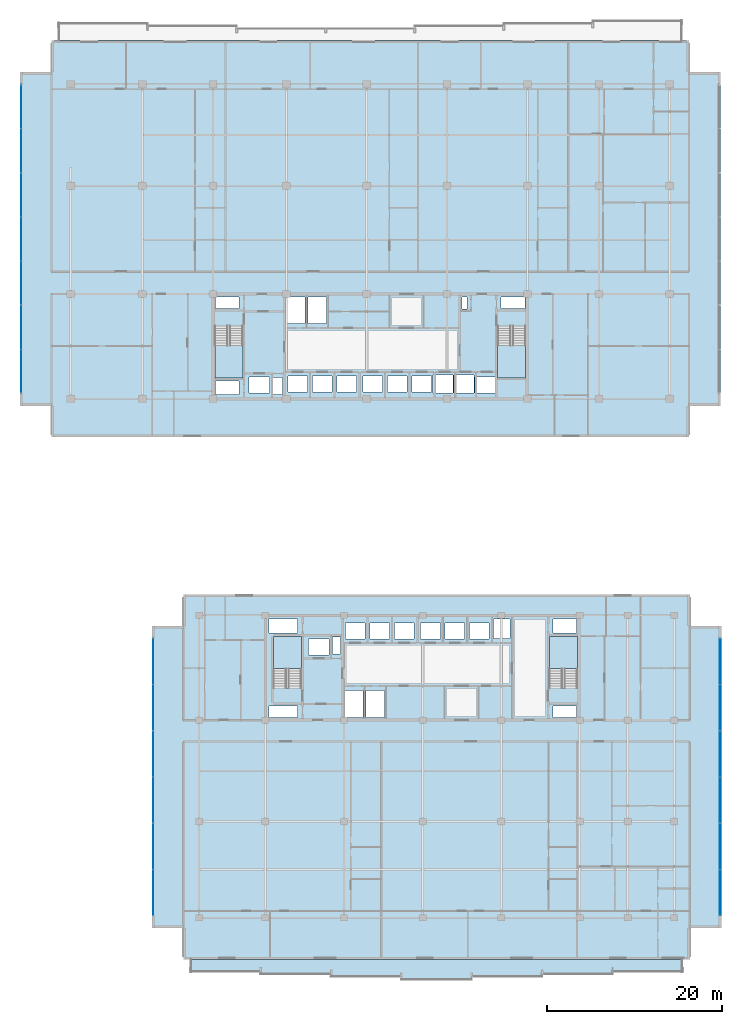
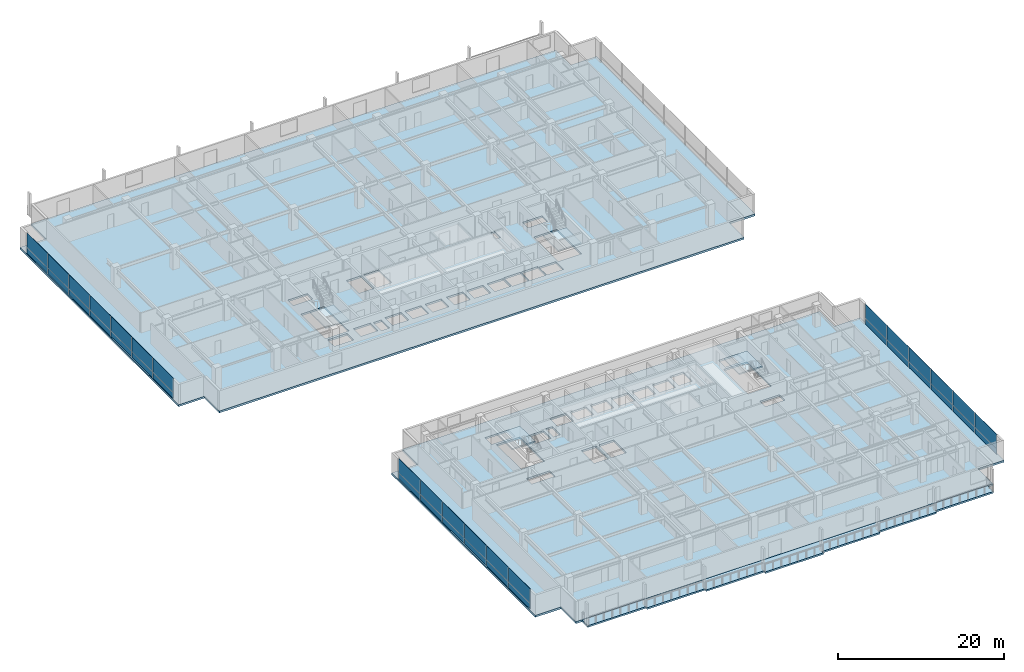
# One storey, part 19 of 38: 38 plates, 7 slabs, 7 elements without a shape of their own.
"""IFC4 building model written with IfcOpenShell, lengths in metres."""

import ifcopenshell
import ifcopenshell.guid

model = None  # the IFC model being written
_history = None  # IfcOwnerHistory: only IFC2X3 demands one
_inside = {}  # id of a spatial element -> (the spatial element, [elements in it])
_under = {}  # id of a project, library or spatial element -> (it, [spatial elements below it])
_declared = {}  # id of a project -> (the project, [libraries it declares])
_typed = {}  # id of a type object -> (the type object, [elements of that type])
_made_of = {}  # id of a material, layer set ... -> (it, [elements and type objects made of it])


def new_model(schema):
    """Start an empty IFC model of exactly this schema.

    Asked for "IFC4X3", IfcOpenShell would pick the latest addendum, in which some entities
    have other attributes; the version numbers below select the first issue.
    IFC2X3 requires an IfcOwnerHistory on every rooted entity: one is made here for all.
    """
    global model, _history
    if schema == "IFC4X3":
        model = ifcopenshell.file(schema_version=(4, 3, 0, 0))
    else:
        model = ifcopenshell.file(schema=schema)
    _inside.clear()
    _under.clear()
    _declared.clear()
    _typed.clear()
    _made_of.clear()
    _history = None
    if model.schema == "IFC2X3":
        org = make("IfcOrganization", Name="unknown")
        user = make(
            "IfcPersonAndOrganization",
            ThePerson=make("IfcPerson", FamilyName="unknown"),
            TheOrganization=org,
        )
        app = make(
            "IfcApplication",
            ApplicationDeveloper=org,
            Version="unknown",
            ApplicationFullName="unknown",
            ApplicationIdentifier="unknown",
        )
        _history = make(
            "IfcOwnerHistory",
            OwningUser=user,
            OwningApplication=app,
            ChangeAction="ADDED",
            CreationDate=0,
        )
    return model


def make(cls, **values):
    """One entity of the class cls with the attributes given. An attribute that is None is left unset."""
    return model.create_entity(
        cls, **{name: value for name, value in values.items() if value is not None}
    )


def rooted(cls, **values):
    """An entity with a GlobalId (a new one), such as an element, a storey or a relation."""
    return make(cls, GlobalId=ifcopenshell.guid.new(), OwnerHistory=_history, **values)


def si_unit(unit_type, name, prefix=None):
    """IfcSIUnit, for example si_unit("LENGTHUNIT", "METRE", prefix="MILLI")."""
    return make("IfcSIUnit", UnitType=unit_type, Prefix=prefix, Name=name)


def assignment(units):
    """IfcUnitAssignment: the units of a project."""
    return None if units is None else make("IfcUnitAssignment", Units=units)


def point(xyz):
    """IfcCartesianPoint."""
    return None if xyz is None else make("IfcCartesianPoint", Coordinates=xyz)


def direction(xyz):
    """IfcDirection."""
    return None if xyz is None else make("IfcDirection", DirectionRatios=xyz)


def frame(location, z_axis=None, x_axis=None):
    """IfcAxis2Placement3D, a coordinate frame: its origin and axes. An axis left out is left unset."""
    return make(
        "IfcAxis2Placement3D",
        Location=point(location),
        Axis=direction(z_axis),
        RefDirection=direction(x_axis),
    )


def frame_2d(location, x_axis=None):
    """IfcAxis2Placement2D, a coordinate frame in the plane: its origin and x axis."""
    return make(
        "IfcAxis2Placement2D", Location=point(location), RefDirection=direction(x_axis)
    )


def origin():
    """The frame at (0, 0, 0) with its axes left unset."""
    return frame((0.0, 0.0, 0.0))


def origin_2d():
    """The frame at (0, 0) in the plane with its x axis left unset."""
    return frame_2d((0.0, 0.0))


def place(relative_to, where):
    """IfcLocalPlacement: puts the frame where relative to a parent placement (None: the world)."""
    return make(
        "IfcLocalPlacement", PlacementRelTo=relative_to, RelativePlacement=where
    )


def context(
    kind, dimensions, precision=None, world=None, true_north=None, identifier=None
):
    """IfcGeometricRepresentationContext, for example the 3D "Model" context."""
    return make(
        "IfcGeometricRepresentationContext",
        ContextIdentifier=identifier,
        ContextType=kind,
        CoordinateSpaceDimension=dimensions,
        Precision=precision,
        WorldCoordinateSystem=world,
        TrueNorth=true_north,
    )


def subcontext(parent, identifier, kind, view, scale=None):
    """IfcGeometricRepresentationSubContext, for example "Body" below "Model"."""
    return make(
        "IfcGeometricRepresentationSubContext",
        ContextIdentifier=identifier,
        ContextType=kind,
        ParentContext=parent,
        TargetScale=scale,
        TargetView=view,
    )


def project(units=None, contexts=None):
    """IfcProject with its units and contexts."""
    return rooted(
        "IfcProject",
        Name="project",
        RepresentationContexts=contexts,
        UnitsInContext=assignment(units),
    )


def spatial(cls, under=None, at=None, **own):
    """A site, building, storey or space (cls), placed at a placement, below another one or the project."""
    s = rooted(cls, ObjectPlacement=at, **own)
    if under is not None:
        _under.setdefault(under.id(), (under, []))[1].append(s)
    return s


def polyline(points):
    """IfcPolyline through the points."""
    return make("IfcPolyline", Points=[point(p) for p in points])


def profile(cls, at=None, kind="AREA", **sizes):
    """A parametric profile (cls). Its sizes go by their IFC names, for example OverallWidth=200.0."""
    return make(cls, ProfileType=kind, Position=at, **sizes)


def rectangle(**sizes):
    """IfcRectangleProfileDef."""
    return profile("IfcRectangleProfileDef", **sizes)


def outline(outer, holes=None, kind="AREA"):
    """IfcArbitraryClosedProfileDef: a profile drawn as a closed curve; with holes, ...WithVoids."""
    if holes is None:
        return make("IfcArbitraryClosedProfileDef", ProfileType=kind, OuterCurve=outer)
    return make(
        "IfcArbitraryProfileDefWithVoids",
        ProfileType=kind,
        OuterCurve=outer,
        InnerCurves=holes,
    )


def extrude(swept, where, along, depth):
    """IfcExtrudedAreaSolid: the profile swept, set in the frame where, extruded along a direction by depth."""
    return make(
        "IfcExtrudedAreaSolid",
        SweptArea=swept,
        Position=where,
        ExtrudedDirection=direction(along),
        Depth=depth,
    )


def shape(context_of_items, identifier, shape_type, items):
    """IfcShapeRepresentation: the items that make up one representation, for example the "Body"."""
    return make(
        "IfcShapeRepresentation",
        ContextOfItems=context_of_items,
        RepresentationIdentifier=identifier,
        RepresentationType=shape_type,
        Items=items,
    )


def material(Name=None, Category=None):
    """IfcMaterial."""
    return make("IfcMaterial", Name=Name, Category=Category)


def layer(
    of_material, thickness, ventilated=None, Name=None, Category=None, Priority=None
):
    """IfcMaterialLayer: one layer of a wall or slab, of a material (None: an air gap)."""
    return make(
        "IfcMaterialLayer",
        Material=of_material,
        LayerThickness=thickness,
        IsVentilated=ventilated,
        Name=Name,
        Category=Category,
        Priority=Priority,
    )


def layer_set(layers, Name=None):
    """IfcMaterialLayerSet."""
    return make("IfcMaterialLayerSet", MaterialLayers=layers, LayerSetName=Name)


def made_of(thing, what):
    """Note that an element or type object is made of a material, layer set ...; save() writes the relation."""
    if what is not None:
        _made_of.setdefault(what.id(), (what, []))[1].append(thing)
    return thing


def type_object(cls, material=None, **own):
    """A type object (cls), such as IfcWallType, which elements share."""
    return made_of(rooted(cls, **own), material)


def element(
    cls,
    number,
    at=None,
    inside=None,
    cuts=None,
    type_object=None,
    material=None,
    context=None,
    identifier="Body",
    shape_type=None,
    held_by="IfcProductDefinitionShape",
    body=None,
    shapes=None,
    **own,
):
    """One element of the class cls, such as IfcWall. Its Tag is "e" and its number.

    at: its placement. inside: the storey or other place that contains it. cuts: it is an
    opening in that element (IfcRelVoidsElement). A single representation is given by context,
    identifier, shape_type and body (its items); several are given by shapes. held_by: the class
    of the entity that holds the representations. save() writes the other relations.
    """
    e = rooted(cls, Tag="e%d" % number, ObjectPlacement=at, **own)
    if body is not None:
        shapes = [shape(context, identifier, shape_type, body)]
    if shapes is not None:
        e.Representation = make(held_by, Representations=shapes)
    if inside is not None:
        _inside.setdefault(inside.id(), (inside, []))[1].append(e)
    if cuts is not None:
        rooted(
            "IfcRelVoidsElement", RelatingBuildingElement=cuts, RelatedOpeningElement=e
        )
    if type_object is not None:
        _typed.setdefault(type_object.id(), (type_object, []))[1].append(e)
    return made_of(e, material)


def aggregate(whole, parts):
    """IfcRelAggregates: a whole, such as a stair, and the parts it consists of."""
    return rooted("IfcRelAggregates", RelatingObject=whole, RelatedObjects=parts)


def save(model, path):
    """Write the relations noted so far, then the file.

    IfcRelAggregates (storeys below a building ...), IfcRelContainedInSpatialStructure (elements
    in a storey), IfcRelDefinesByType, IfcRelAssociatesMaterial and IfcRelDeclares: one each for
    every whole, place, type object, material and project.
    """
    for whole, parts in _under.values():
        aggregate(whole, parts)
    for where, things in _inside.values():
        rooted(
            "IfcRelContainedInSpatialStructure",
            RelatedElements=things,
            RelatingStructure=where,
        )
    for kind, things in _typed.values():
        rooted("IfcRelDefinesByType", RelatedObjects=things, RelatingType=kind)
    for what, things in _made_of.values():
        rooted("IfcRelAssociatesMaterial", RelatedObjects=things, RelatingMaterial=what)
    for by, libraries in _declared.values():
        rooted("IfcRelDeclares", RelatingContext=by, RelatedDefinitions=libraries)
    model.write(path)


model = new_model("IFC4")

# Units and contexts
model_context = context("Model", 3, precision=1e-05, world=origin(), true_north=direction((0.0, 1.0)))
body_context = subcontext(model_context, "Body", "Model", "MODEL_VIEW")
ifc_project = project(units=[si_unit("LENGTHUNIT", "METRE"), si_unit("AREAUNIT", "SQUARE_METRE"), si_unit("VOLUMEUNIT", "CUBIC_METRE"), si_unit("PLANEANGLEUNIT", "RADIAN"), si_unit("MASSUNIT", "GRAM", prefix="KILO")], contexts=[model_context])

# Site, building, storey
site_placement = place(None, origin())
site = spatial("IfcSite", under=ifc_project, at=site_placement, CompositionType="ELEMENT")
building_placement = place(site_placement, origin())
building = spatial("IfcBuilding", under=site, at=building_placement, Name="Korimba Cascade Residences", CompositionType="ELEMENT")
storey_placement = place(building_placement, frame((0.0, 0.0, 93.800048828125)))
storey = spatial("IfcBuildingStorey", under=building, at=storey_placement, Name="L26", CompositionType="ELEMENT", Elevation=93.800048828125)

# Curtain wall, plates
ifc_material_1 = material(Name="Anodised Aluminium Curtain Wall Framing", Category="aluminium")
ifc_layer_1 = layer(ifc_material_1, 0.179931640625)
ifc_layer_set_1 = layer_set([ifc_layer_1], Name="Anodised Aluminium Curtain Wall Framing")
curtain_wall_type = type_object("IfcCurtainWallType", Name="CW-SKY-SYS2", PredefinedType="NOTDEFINED", material=ifc_layer_set_1)
curtain_wall_1_placement = place(storey_placement, origin())
curtain_wall_1 = element("IfcCurtainWall", 1, at=curtain_wall_1_placement, inside=storey, type_object=curtain_wall_type, Name="L26 Curtain Wall CW-L26-T1-E9", PredefinedType="NOTDEFINED")
ifc_material_2 = material(Name="Insulated Stone-Tone Spandrel Panel", Category="masonry")
ifc_layer_2 = layer(ifc_material_2, 0.0400390625)
ifc_layer_set_2 = layer_set([ifc_layer_2], Name="Insulated Stone-Tone Spandrel Panel")
plate_type_1 = type_object("IfcPlateType", Name="CWP-SPN-40", PredefinedType="USERDEFINED", material=ifc_layer_set_2)
plate_1_placement = place(storey_placement, frame((54.14990234375, 88.6513671875, 0.0), z_axis=(0.0, 0.0, 1.0), x_axis=(0.0, -1.0, 0.0)))
plate_1 = element("IfcPlate", 2, at=plate_1_placement, type_object=plate_type_1, Name="CW-L26-T1-E9 Spandrel Panel 1", ObjectType="SPANDREL", PredefinedType="USERDEFINED", context=body_context, shape_type="SweptSolid", body=[
    extrude(rectangle(XDim=4.967041015625, YDim=0.0400390625, at=origin_2d()), origin(), (0.0, 0.0, 1.0), 0.83154296875),
])
plate_2_placement = place(storey_placement, frame((54.14990234375, 83.6142578125, 0.0), z_axis=(0.0, 0.0, 1.0), x_axis=(0.0, -1.0, 0.0)))
plate_2 = element("IfcPlate", 3, at=plate_2_placement, type_object=plate_type_1, Name="CW-L26-T1-E9 Spandrel Panel 2", ObjectType="SPANDREL", PredefinedType="USERDEFINED", context=body_context, shape_type="SweptSolid", body=[
    extrude(rectangle(XDim=5.007080078125, YDim=0.0400390625, at=origin_2d()), origin(), (0.0, 0.0, 1.0), 0.83154296875),
])
plate_3_placement = place(storey_placement, frame((54.14990234375, 78.55712890625, 0.0), z_axis=(0.0, 0.0, 1.0), x_axis=(0.0, -1.0, 0.0)))
plate_3 = element("IfcPlate", 4, at=plate_3_placement, type_object=plate_type_1, Name="CW-L26-T1-E9 Spandrel Panel 3", ObjectType="SPANDREL", PredefinedType="USERDEFINED", context=body_context, shape_type="SweptSolid", body=[
    extrude(rectangle(XDim=5.007080078125, YDim=0.0400390625, at=origin_2d()), origin(), (0.0, 0.0, 1.0), 0.83154296875),
])
plate_4_placement = place(storey_placement, frame((54.14990234375, 73.5, 0.0), z_axis=(0.0, 0.0, 1.0), x_axis=(0.0, -1.0, 0.0)))
plate_4 = element("IfcPlate", 5, at=plate_4_placement, type_object=plate_type_1, Name="CW-L26-T1-E9 Spandrel Panel 4", ObjectType="SPANDREL", PredefinedType="USERDEFINED", context=body_context, shape_type="SweptSolid", body=[
    extrude(rectangle(XDim=5.007080078125, YDim=0.0400390625, at=origin_2d()), origin(), (0.0, 0.0, 1.0), 0.83154296875),
])
plate_5_placement = place(storey_placement, frame((54.14990234375, 68.44287109375, 0.0), z_axis=(0.0, 0.0, 1.0), x_axis=(0.0, -1.0, 0.0)))
plate_5 = element("IfcPlate", 6, at=plate_5_placement, type_object=plate_type_1, Name="CW-L26-T1-E9 Spandrel Panel 5", ObjectType="SPANDREL", PredefinedType="USERDEFINED", context=body_context, shape_type="SweptSolid", body=[
    extrude(rectangle(XDim=5.007080078125, YDim=0.0400390625, at=origin_2d()), origin(), (0.0, 0.0, 1.0), 0.83154296875),
])
plate_6_placement = place(storey_placement, frame((54.14990234375, 63.3857421875, 0.0), z_axis=(0.0, 0.0, 1.0), x_axis=(0.0, -1.0, 0.0)))
plate_6 = element("IfcPlate", 7, at=plate_6_placement, type_object=plate_type_1, Name="CW-L26-T1-E9 Spandrel Panel 6", ObjectType="SPANDREL", PredefinedType="USERDEFINED", context=body_context, shape_type="SweptSolid", body=[
    extrude(rectangle(XDim=5.007080078125, YDim=0.0400390625, at=origin_2d()), origin(), (0.0, 0.0, 1.0), 0.83154296875),
])
plate_7_placement = place(storey_placement, frame((54.14990234375, 58.3486328125, 0.0), z_axis=(0.0, 0.0, 1.0), x_axis=(0.0, -1.0, 0.0)))
plate_7 = element("IfcPlate", 8, at=plate_7_placement, type_object=plate_type_1, Name="CW-L26-T1-E9 Spandrel Panel 7", ObjectType="SPANDREL", PredefinedType="USERDEFINED", context=body_context, shape_type="SweptSolid", body=[
    extrude(rectangle(XDim=4.967041015625, YDim=0.0400390625, at=origin_2d()), origin(), (0.0, 0.0, 1.0), 0.83154296875),
])

curtain_wall_2_placement = place(storey_placement, origin())
curtain_wall_2 = element("IfcCurtainWall", 9, at=curtain_wall_2_placement, inside=storey, type_object=curtain_wall_type, Name="L26 Curtain Wall CW-L26-T2-E3", PredefinedType="NOTDEFINED")
plate_8_placement = place(storey_placement, frame((134.14990234375, -1.330078125, 0.0), z_axis=(0.0, 0.0, 1.0), x_axis=(0.0, 1.0, 0.0)))
plate_8 = element("IfcPlate", 10, at=plate_8_placement, type_object=plate_type_1, Name="CW-L26-T2-E3 Spandrel Panel 1", ObjectType="SPANDREL", PredefinedType="USERDEFINED", context=body_context, shape_type="SweptSolid", body=[
    extrude(rectangle(XDim=5.2099609375, YDim=0.0400390625, at=origin_2d()), origin(), (0.0, 0.0, 1.0), 0.83154296875),
])
plate_9_placement = place(storey_placement, frame((134.14990234375, 3.949951171875, 0.0), z_axis=(0.0, 0.0, 1.0), x_axis=(0.0, 1.0, 0.0)))
plate_9 = element("IfcPlate", 11, at=plate_9_placement, type_object=plate_type_1, Name="CW-L26-T2-E3 Spandrel Panel 2", ObjectType="SPANDREL", PredefinedType="USERDEFINED", context=body_context, shape_type="SweptSolid", body=[
    extrude(rectangle(XDim=5.25, YDim=0.0400390625, at=origin_2d()), origin(), (0.0, 0.0, 1.0), 0.83154296875),
])
plate_10_placement = place(storey_placement, frame((134.14990234375, 9.25, 0.0), z_axis=(0.0, 0.0, 1.0), x_axis=(0.0, 1.0, 0.0)))
plate_10 = element("IfcPlate", 12, at=plate_10_placement, type_object=plate_type_1, Name="CW-L26-T2-E3 Spandrel Panel 3", ObjectType="SPANDREL", PredefinedType="USERDEFINED", context=body_context, shape_type="SweptSolid", body=[
    extrude(rectangle(XDim=5.25, YDim=0.0400390625, at=origin_2d()), origin(), (0.0, 0.0, 1.0), 0.83154296875),
])
plate_11_placement = place(storey_placement, frame((134.14990234375, 14.550048828125, 0.0), z_axis=(0.0, 0.0, 1.0), x_axis=(0.0, 1.0, 0.0)))
plate_11 = element("IfcPlate", 13, at=plate_11_placement, type_object=plate_type_1, Name="CW-L26-T2-E3 Spandrel Panel 4", ObjectType="SPANDREL", PredefinedType="USERDEFINED", context=body_context, shape_type="SweptSolid", body=[
    extrude(rectangle(XDim=5.25, YDim=0.0400390625, at=origin_2d()), origin(), (0.0, 0.0, 1.0), 0.83154296875),
])
plate_12_placement = place(storey_placement, frame((134.14990234375, 19.85009765625, 0.0), z_axis=(0.0, 0.0, 1.0), x_axis=(0.0, 1.0, 0.0)))
plate_12 = element("IfcPlate", 14, at=plate_12_placement, type_object=plate_type_1, Name="CW-L26-T2-E3 Spandrel Panel 5", ObjectType="SPANDREL", PredefinedType="USERDEFINED", context=body_context, shape_type="SweptSolid", body=[
    extrude(rectangle(XDim=5.25, YDim=0.0400390625, at=origin_2d()), origin(), (0.0, 0.0, 1.0), 0.83154296875),
])
plate_13_placement = place(storey_placement, frame((134.14990234375, 25.1298828125, 0.0), z_axis=(0.0, 0.0, 1.0), x_axis=(0.0, 1.0, 0.0)))
plate_13 = element("IfcPlate", 15, at=plate_13_placement, type_object=plate_type_1, Name="CW-L26-T2-E3 Spandrel Panel 6", ObjectType="SPANDREL", PredefinedType="USERDEFINED", context=body_context, shape_type="SweptSolid", body=[
    extrude(rectangle(XDim=5.2099609375, YDim=0.0400390625, at=origin_2d()), origin(), (0.0, 0.0, 1.0), 0.83154296875),
])

curtain_wall_3_placement = place(storey_placement, origin())
curtain_wall_3 = element("IfcCurtainWall", 16, at=curtain_wall_3_placement, inside=storey, type_object=curtain_wall_type, Name="L26 Curtain Wall CW-L26-T2-E9", PredefinedType="NOTDEFINED")
plate_14_placement = place(storey_placement, frame((69.25, 25.1298828125, 0.0), z_axis=(0.0, 0.0, 1.0), x_axis=(0.0, -1.0, 0.0)))
plate_14 = element("IfcPlate", 17, at=plate_14_placement, type_object=plate_type_1, Name="CW-L26-T2-E9 Spandrel Panel 1", ObjectType="SPANDREL", PredefinedType="USERDEFINED", context=body_context, shape_type="SweptSolid", body=[
    extrude(rectangle(XDim=5.2099609375, YDim=0.0400390625, at=origin_2d()), origin(), (0.0, 0.0, 1.0), 0.83154296875),
])
plate_15_placement = place(storey_placement, frame((69.25, 19.85009765625, 0.0), z_axis=(0.0, 0.0, 1.0), x_axis=(0.0, -1.0, 0.0)))
plate_15 = element("IfcPlate", 18, at=plate_15_placement, type_object=plate_type_1, Name="CW-L26-T2-E9 Spandrel Panel 2", ObjectType="SPANDREL", PredefinedType="USERDEFINED", context=body_context, shape_type="SweptSolid", body=[
    extrude(rectangle(XDim=5.25, YDim=0.0400390625, at=origin_2d()), origin(), (0.0, 0.0, 1.0), 0.83154296875),
])
plate_16_placement = place(storey_placement, frame((69.25, 14.550048828125, 0.0), z_axis=(0.0, 0.0, 1.0), x_axis=(0.0, -1.0, 0.0)))
plate_16 = element("IfcPlate", 19, at=plate_16_placement, type_object=plate_type_1, Name="CW-L26-T2-E9 Spandrel Panel 3", ObjectType="SPANDREL", PredefinedType="USERDEFINED", context=body_context, shape_type="SweptSolid", body=[
    extrude(rectangle(XDim=5.25, YDim=0.0400390625, at=origin_2d()), origin(), (0.0, 0.0, 1.0), 0.83154296875),
])
plate_17_placement = place(storey_placement, frame((69.25, 9.25, 0.0), z_axis=(0.0, 0.0, 1.0), x_axis=(0.0, -1.0, 0.0)))
plate_17 = element("IfcPlate", 20, at=plate_17_placement, type_object=plate_type_1, Name="CW-L26-T2-E9 Spandrel Panel 4", ObjectType="SPANDREL", PredefinedType="USERDEFINED", context=body_context, shape_type="SweptSolid", body=[
    extrude(rectangle(XDim=5.25, YDim=0.0400390625, at=origin_2d()), origin(), (0.0, 0.0, 1.0), 0.83154296875),
])
plate_18_placement = place(storey_placement, frame((69.25, 3.949951171875, 0.0), z_axis=(0.0, 0.0, 1.0), x_axis=(0.0, -1.0, 0.0)))
plate_18 = element("IfcPlate", 21, at=plate_18_placement, type_object=plate_type_1, Name="CW-L26-T2-E9 Spandrel Panel 5", ObjectType="SPANDREL", PredefinedType="USERDEFINED", context=body_context, shape_type="SweptSolid", body=[
    extrude(rectangle(XDim=5.25, YDim=0.0400390625, at=origin_2d()), origin(), (0.0, 0.0, 1.0), 0.83154296875),
])
plate_19_placement = place(storey_placement, frame((69.25, -1.330078125, 0.0), z_axis=(0.0, 0.0, 1.0), x_axis=(0.0, -1.0, 0.0)))
plate_19 = element("IfcPlate", 22, at=plate_19_placement, type_object=plate_type_1, Name="CW-L26-T2-E9 Spandrel Panel 6", ObjectType="SPANDREL", PredefinedType="USERDEFINED", context=body_context, shape_type="SweptSolid", body=[
    extrude(rectangle(XDim=5.2099609375, YDim=0.0400390625, at=origin_2d()), origin(), (0.0, 0.0, 1.0), 0.83154296875),
])

# Plate
ifc_material_3 = material(Name="Low-E Double Glazing Unit", Category="glass")
ifc_layer_3 = layer(ifc_material_3, 0.028076171875)
ifc_layer_set_3 = layer_set([ifc_layer_3], Name="Low-E Double Glazing Unit")
plate_type_2 = type_object("IfcPlateType", Name="CWP-VIS-28", PredefinedType="CURTAIN_PANEL", material=ifc_layer_set_3)
plate_20_placement = place(storey_placement, frame((54.14990234375, 88.6513671875, 0.83154296875), z_axis=(0.0, 0.0, 1.0), x_axis=(0.0, -1.0, 0.0)))
plate_20 = element("IfcPlate", 23, at=plate_20_placement, type_object=plate_type_2, Name="CW-L26-T1-E9 Vision Glass Panel 1", PredefinedType="CURTAIN_PANEL", context=body_context, shape_type="SweptSolid", body=[
    extrude(rectangle(XDim=4.967041015625, YDim=0.028076171875, at=origin_2d()), origin(), (0.0, 0.0, 1.0), 2.138427734375),
])

plate_21_placement = place(storey_placement, frame((54.14990234375, 83.6142578125, 0.83154296875), z_axis=(0.0, 0.0, 1.0), x_axis=(0.0, -1.0, 0.0)))
plate_21 = element("IfcPlate", 24, at=plate_21_placement, type_object=plate_type_2, Name="CW-L26-T1-E9 Vision Glass Panel 2", PredefinedType="CURTAIN_PANEL", context=body_context, shape_type="SweptSolid", body=[
    extrude(rectangle(XDim=5.007080078125, YDim=0.028076171875, at=origin_2d()), origin(), (0.0, 0.0, 1.0), 2.138427734375),
])

plate_22_placement = place(storey_placement, frame((54.14990234375, 78.55712890625, 0.83154296875), z_axis=(0.0, 0.0, 1.0), x_axis=(0.0, -1.0, 0.0)))
plate_22 = element("IfcPlate", 25, at=plate_22_placement, type_object=plate_type_2, Name="CW-L26-T1-E9 Vision Glass Panel 3", PredefinedType="CURTAIN_PANEL", context=body_context, shape_type="SweptSolid", body=[
    extrude(rectangle(XDim=5.007080078125, YDim=0.028076171875, at=origin_2d()), origin(), (0.0, 0.0, 1.0), 2.138427734375),
])

plate_23_placement = place(storey_placement, frame((54.14990234375, 73.5, 0.83154296875), z_axis=(0.0, 0.0, 1.0), x_axis=(0.0, -1.0, 0.0)))
plate_23 = element("IfcPlate", 26, at=plate_23_placement, type_object=plate_type_2, Name="CW-L26-T1-E9 Vision Glass Panel 4", PredefinedType="CURTAIN_PANEL", context=body_context, shape_type="SweptSolid", body=[
    extrude(rectangle(XDim=5.007080078125, YDim=0.028076171875, at=origin_2d()), origin(), (0.0, 0.0, 1.0), 2.138427734375),
])

plate_24_placement = place(storey_placement, frame((54.14990234375, 68.44287109375, 0.83154296875), z_axis=(0.0, 0.0, 1.0), x_axis=(0.0, -1.0, 0.0)))
plate_24 = element("IfcPlate", 27, at=plate_24_placement, type_object=plate_type_2, Name="CW-L26-T1-E9 Vision Glass Panel 5", PredefinedType="CURTAIN_PANEL", context=body_context, shape_type="SweptSolid", body=[
    extrude(rectangle(XDim=5.007080078125, YDim=0.028076171875, at=origin_2d()), origin(), (0.0, 0.0, 1.0), 2.138427734375),
])

plate_25_placement = place(storey_placement, frame((54.14990234375, 63.3857421875, 0.83154296875), z_axis=(0.0, 0.0, 1.0), x_axis=(0.0, -1.0, 0.0)))
plate_25 = element("IfcPlate", 28, at=plate_25_placement, type_object=plate_type_2, Name="CW-L26-T1-E9 Vision Glass Panel 6", PredefinedType="CURTAIN_PANEL", context=body_context, shape_type="SweptSolid", body=[
    extrude(rectangle(XDim=5.007080078125, YDim=0.028076171875, at=origin_2d()), origin(), (0.0, 0.0, 1.0), 2.138427734375),
])

plate_26_placement = place(storey_placement, frame((54.14990234375, 58.3486328125, 0.83154296875), z_axis=(0.0, 0.0, 1.0), x_axis=(0.0, -1.0, 0.0)))
plate_26 = element("IfcPlate", 29, at=plate_26_placement, type_object=plate_type_2, Name="CW-L26-T1-E9 Vision Glass Panel 7", PredefinedType="CURTAIN_PANEL", context=body_context, shape_type="SweptSolid", body=[
    extrude(rectangle(XDim=4.967041015625, YDim=0.028076171875, at=origin_2d()), origin(), (0.0, 0.0, 1.0), 2.138427734375),
])

aggregate(curtain_wall_1, [plate_1, plate_20, plate_2, plate_21, plate_3, plate_22, plate_4, plate_23, plate_5, plate_24, plate_6, plate_25, plate_7, plate_26])

plate_27_placement = place(storey_placement, frame((134.14990234375, -1.330078125, 0.83154296875), z_axis=(0.0, 0.0, 1.0), x_axis=(0.0, 1.0, 0.0)))
plate_27 = element("IfcPlate", 30, at=plate_27_placement, type_object=plate_type_2, Name="CW-L26-T2-E3 Vision Glass Panel 1", PredefinedType="CURTAIN_PANEL", context=body_context, shape_type="SweptSolid", body=[
    extrude(rectangle(XDim=5.2099609375, YDim=0.028076171875, at=origin_2d()), origin(), (0.0, 0.0, 1.0), 2.138427734375),
])

plate_28_placement = place(storey_placement, frame((134.14990234375, 3.949951171875, 0.83154296875), z_axis=(0.0, 0.0, 1.0), x_axis=(0.0, 1.0, 0.0)))
plate_28 = element("IfcPlate", 31, at=plate_28_placement, type_object=plate_type_2, Name="CW-L26-T2-E3 Vision Glass Panel 2", PredefinedType="CURTAIN_PANEL", context=body_context, shape_type="SweptSolid", body=[
    extrude(rectangle(XDim=5.25, YDim=0.028076171875, at=origin_2d()), origin(), (0.0, 0.0, 1.0), 2.138427734375),
])

plate_29_placement = place(storey_placement, frame((134.14990234375, 9.25, 0.83154296875), z_axis=(0.0, 0.0, 1.0), x_axis=(0.0, 1.0, 0.0)))
plate_29 = element("IfcPlate", 32, at=plate_29_placement, type_object=plate_type_2, Name="CW-L26-T2-E3 Vision Glass Panel 3", PredefinedType="CURTAIN_PANEL", context=body_context, shape_type="SweptSolid", body=[
    extrude(rectangle(XDim=5.25, YDim=0.028076171875, at=origin_2d()), origin(), (0.0, 0.0, 1.0), 2.138427734375),
])

plate_30_placement = place(storey_placement, frame((134.14990234375, 14.550048828125, 0.83154296875), z_axis=(0.0, 0.0, 1.0), x_axis=(0.0, 1.0, 0.0)))
plate_30 = element("IfcPlate", 33, at=plate_30_placement, type_object=plate_type_2, Name="CW-L26-T2-E3 Vision Glass Panel 4", PredefinedType="CURTAIN_PANEL", context=body_context, shape_type="SweptSolid", body=[
    extrude(rectangle(XDim=5.25, YDim=0.028076171875, at=origin_2d()), origin(), (0.0, 0.0, 1.0), 2.138427734375),
])

plate_31_placement = place(storey_placement, frame((134.14990234375, 19.85009765625, 0.83154296875), z_axis=(0.0, 0.0, 1.0), x_axis=(0.0, 1.0, 0.0)))
plate_31 = element("IfcPlate", 34, at=plate_31_placement, type_object=plate_type_2, Name="CW-L26-T2-E3 Vision Glass Panel 5", PredefinedType="CURTAIN_PANEL", context=body_context, shape_type="SweptSolid", body=[
    extrude(rectangle(XDim=5.25, YDim=0.028076171875, at=origin_2d()), origin(), (0.0, 0.0, 1.0), 2.138427734375),
])

plate_32_placement = place(storey_placement, frame((134.14990234375, 25.1298828125, 0.83154296875), z_axis=(0.0, 0.0, 1.0), x_axis=(0.0, 1.0, 0.0)))
plate_32 = element("IfcPlate", 35, at=plate_32_placement, type_object=plate_type_2, Name="CW-L26-T2-E3 Vision Glass Panel 6", PredefinedType="CURTAIN_PANEL", context=body_context, shape_type="SweptSolid", body=[
    extrude(rectangle(XDim=5.2099609375, YDim=0.028076171875, at=origin_2d()), origin(), (0.0, 0.0, 1.0), 2.138427734375),
])

aggregate(curtain_wall_2, [plate_8, plate_27, plate_9, plate_28, plate_10, plate_29, plate_11, plate_30, plate_12, plate_31, plate_13, plate_32])

plate_33_placement = place(storey_placement, frame((69.25, 25.1298828125, 0.83154296875), z_axis=(0.0, 0.0, 1.0), x_axis=(0.0, -1.0, 0.0)))
plate_33 = element("IfcPlate", 36, at=plate_33_placement, type_object=plate_type_2, Name="CW-L26-T2-E9 Vision Glass Panel 1", PredefinedType="CURTAIN_PANEL", context=body_context, shape_type="SweptSolid", body=[
    extrude(rectangle(XDim=5.2099609375, YDim=0.028076171875, at=origin_2d()), origin(), (0.0, 0.0, 1.0), 2.138427734375),
])

plate_34_placement = place(storey_placement, frame((69.25, 19.85009765625, 0.83154296875), z_axis=(0.0, 0.0, 1.0), x_axis=(0.0, -1.0, 0.0)))
plate_34 = element("IfcPlate", 37, at=plate_34_placement, type_object=plate_type_2, Name="CW-L26-T2-E9 Vision Glass Panel 2", PredefinedType="CURTAIN_PANEL", context=body_context, shape_type="SweptSolid", body=[
    extrude(rectangle(XDim=5.25, YDim=0.028076171875, at=origin_2d()), origin(), (0.0, 0.0, 1.0), 2.138427734375),
])

plate_35_placement = place(storey_placement, frame((69.25, 14.550048828125, 0.83154296875), z_axis=(0.0, 0.0, 1.0), x_axis=(0.0, -1.0, 0.0)))
plate_35 = element("IfcPlate", 38, at=plate_35_placement, type_object=plate_type_2, Name="CW-L26-T2-E9 Vision Glass Panel 3", PredefinedType="CURTAIN_PANEL", context=body_context, shape_type="SweptSolid", body=[
    extrude(rectangle(XDim=5.25, YDim=0.028076171875, at=origin_2d()), origin(), (0.0, 0.0, 1.0), 2.138427734375),
])

plate_36_placement = place(storey_placement, frame((69.25, 9.25, 0.83154296875), z_axis=(0.0, 0.0, 1.0), x_axis=(0.0, -1.0, 0.0)))
plate_36 = element("IfcPlate", 39, at=plate_36_placement, type_object=plate_type_2, Name="CW-L26-T2-E9 Vision Glass Panel 4", PredefinedType="CURTAIN_PANEL", context=body_context, shape_type="SweptSolid", body=[
    extrude(rectangle(XDim=5.25, YDim=0.028076171875, at=origin_2d()), origin(), (0.0, 0.0, 1.0), 2.138427734375),
])

plate_37_placement = place(storey_placement, frame((69.25, 3.949951171875, 0.83154296875), z_axis=(0.0, 0.0, 1.0), x_axis=(0.0, -1.0, 0.0)))
plate_37 = element("IfcPlate", 40, at=plate_37_placement, type_object=plate_type_2, Name="CW-L26-T2-E9 Vision Glass Panel 5", PredefinedType="CURTAIN_PANEL", context=body_context, shape_type="SweptSolid", body=[
    extrude(rectangle(XDim=5.25, YDim=0.028076171875, at=origin_2d()), origin(), (0.0, 0.0, 1.0), 2.138427734375),
])

plate_38_placement = place(storey_placement, frame((69.25, -1.330078125, 0.83154296875), z_axis=(0.0, 0.0, 1.0), x_axis=(0.0, -1.0, 0.0)))
plate_38 = element("IfcPlate", 41, at=plate_38_placement, type_object=plate_type_2, Name="CW-L26-T2-E9 Vision Glass Panel 6", PredefinedType="CURTAIN_PANEL", context=body_context, shape_type="SweptSolid", body=[
    extrude(rectangle(XDim=5.2099609375, YDim=0.028076171875, at=origin_2d()), origin(), (0.0, 0.0, 1.0), 2.138427734375),
])

aggregate(curtain_wall_3, [plate_14, plate_33, plate_15, plate_34, plate_16, plate_35, plate_17, plate_36, plate_18, plate_37, plate_19, plate_38])

# Stair, slab
ifc_material_4 = material(Name="Concrete C50/60", Category="concrete")
stair_type_1 = type_object("IfcStairType", Name="STR-W1-18R-1806", PredefinedType="HALF_TURN_STAIR", material=ifc_material_4)
stair_1_placement = place(storey_placement, origin())
stair_1 = element("IfcStair", 42, at=stair_1_placement, inside=storey, type_object=stair_type_1, Name="L26 Tower 1 West Fire Stair ST-W1", PredefinedType="HALF_TURN_STAIR")
ifc_layer_4 = layer(ifc_material_4, 0.199951171875)
ifc_layer_set_4 = layer_set([ifc_layer_4], Name="Concrete C50/60")
slab_type_1 = type_object("IfcSlabType", Name="SLB-LND-220", PredefinedType="LANDING", material=ifc_layer_set_4)
slab_1_placement = place(storey_placement, frame((0.0, 0.0, 1.425048828125)))
slab_1 = element("IfcSlab", 43, at=slab_1_placement, type_object=slab_type_1, Name="ST-W1 landing 1", PredefinedType="LANDING", context=body_context, shape_type="SweptSolid", body=[
    extrude(outline(polyline([(76.300048828125, 61.31005859375), (76.300048828125, 57.60009765625), (79.5400390625, 57.60009765625), (79.5400390625, 61.31005859375), (76.300048828125, 61.31005859375)])), origin(), (0.0, 0.0, 1.0), 0.199951171875),
])
aggregate(stair_1, [slab_1])

stair_type_2 = type_object("IfcStairType", Name="STR-W2-18R-1806", PredefinedType="HALF_TURN_STAIR", material=ifc_material_4)
stair_2_placement = place(storey_placement, origin())
stair_2 = element("IfcStair", 44, at=stair_2_placement, inside=storey, type_object=stair_type_2, Name="L26 Tower 1 East Fire Stair ST-W2", PredefinedType="HALF_TURN_STAIR")
slab_2_placement = place(storey_placement, frame((0.0, 0.0, 1.425048828125)))
slab_2 = element("IfcSlab", 45, at=slab_2_placement, type_object=slab_type_1, Name="ST-W2 landing 1", PredefinedType="LANDING", context=body_context, shape_type="SweptSolid", body=[
    extrude(outline(polyline([(108.659912109375, 61.31005859375), (108.659912109375, 57.60009765625), (111.89990234375, 57.60009765625), (111.89990234375, 61.31005859375), (108.659912109375, 61.31005859375)])), origin(), (0.0, 0.0, 1.0), 0.199951171875),
])
aggregate(stair_2, [slab_2])

stair_type_3 = type_object("IfcStairType", Name="STR-E1-18R-1806", PredefinedType="HALF_TURN_STAIR", material=ifc_material_4)
stair_3_placement = place(storey_placement, origin())
stair_3 = element("IfcStair", 46, at=stair_3_placement, inside=storey, type_object=stair_type_3, Name="L26 Tower 2 West Fire Stair ST-E1", PredefinedType="HALF_TURN_STAIR")
slab_3_placement = place(storey_placement, frame((0.0, 0.0, 1.425048828125)))
slab_3 = element("IfcSlab", 47, at=slab_3_placement, type_object=slab_type_1, Name="ST-E1 landing 1", PredefinedType="LANDING", context=body_context, shape_type="SweptSolid", body=[
    extrude(outline(polyline([(86.239990234375, 24.2900390625), (86.239990234375, 28.0), (83.0, 28.0), (83.0, 24.2900390625), (86.239990234375, 24.2900390625)])), origin(), (0.0, 0.0, 1.0), 0.199951171875),
])
aggregate(stair_3, [slab_3])

stair_type_4 = type_object("IfcStairType", Name="STR-E2-18R-1806", PredefinedType="HALF_TURN_STAIR", material=ifc_material_4)
stair_4_placement = place(storey_placement, origin())
stair_4 = element("IfcStair", 48, at=stair_4_placement, inside=storey, type_object=stair_type_4, Name="L26 Tower 2 East Fire Stair ST-E2", PredefinedType="HALF_TURN_STAIR")
slab_4_placement = place(storey_placement, frame((0.0, 0.0, 1.425048828125)))
slab_4 = element("IfcSlab", 49, at=slab_4_placement, type_object=slab_type_1, Name="ST-E2 landing 1", PredefinedType="LANDING", context=body_context, shape_type="SweptSolid", body=[
    extrude(outline(polyline([(117.840087890625, 24.2900390625), (117.840087890625, 28.0), (114.60009765625, 28.0), (114.60009765625, 24.2900390625), (117.840087890625, 24.2900390625)])), origin(), (0.0, 0.0, 1.0), 0.199951171875),
])
aggregate(stair_4, [slab_4])

# Slabs
ifc_material_5 = material(Name="Precast concrete C40/50", Category="concrete")
ifc_layer_5 = layer(ifc_material_5, 0.239990234375)
ifc_layer_set_5 = layer_set([ifc_layer_5], Name="Precast concrete C40/50")
slab_type_2 = type_object("IfcSlabType", Name="SLB-LOG-240", PredefinedType="FLOOR", material=ifc_layer_set_5)
slab_5_placement = place(storey_placement, frame((0.0, 0.0, -0.239990234375)))
element("IfcSlab", 50, at=slab_5_placement, inside=storey, type_object=slab_type_2, Name="L26 Tower 2 South Loggia Slab", PredefinedType="FLOOR", context=body_context, shape_type="SweptSolid", body=[
    extrude(outline(polyline([(73.5, -10.449951171875), (81.55712890625, -10.449951171875), (81.55712890625, -10.75), (89.6142578125, -10.75), (89.6142578125, -11.050048828125), (97.67138671875, -11.050048828125), (97.67138671875, -11.35009765625), (105.728515625, -11.35009765625), (105.728515625, -11.050048828125), (113.78564453125, -11.050048828125), (113.78564453125, -10.75), (121.843017578125, -10.75), (121.843017578125, -10.449951171875), (129.89990234375, -10.449951171875), (129.89990234375, -9.0), (73.5, -9.0), (73.5, -10.449951171875)])), origin(), (0.0, 0.0, 1.0), 0.239990234375),
])
ifc_layer_6 = layer(ifc_material_4, 0.280029296875)
ifc_layer_set_6 = layer_set([ifc_layer_6], Name="Concrete C50/60")
slab_type_3 = type_object("IfcSlabType", Name="SLB-TYP-280", PredefinedType="FLOOR", material=ifc_layer_set_6)
slab_6_placement = place(storey_placement, frame((0.0, 0.0, -0.280029296875)))
element("IfcSlab", 51, at=slab_6_placement, inside=storey, type_object=slab_type_3, Name="L26 Tower 1 Floor Slab", PredefinedType="FLOOR", context=body_context, shape_type="SweptSolid", body=[
    extrude(outline(polyline([(57.60009765625, 50.800048828125), (130.60009765625, 50.800048828125), (130.60009765625, 54.39990234375), (134.199951171875, 54.39990234375), (134.199951171875, 92.60009765625), (130.60009765625, 92.60009765625), (130.60009765625, 96.199951171875), (57.60009765625, 96.199951171875), (57.60009765625, 92.60009765625), (54.0, 92.60009765625), (54.0, 54.39990234375), (57.60009765625, 54.39990234375), (57.60009765625, 50.800048828125)]), holes=[polyline([(76.300048828125, 63.514892578125), (76.300048828125, 57.60009765625), (79.5400390625, 57.60009765625), (79.5400390625, 63.514892578125), (76.300048828125, 63.514892578125)]), polyline([(108.659912109375, 63.514892578125), (108.659912109375, 57.60009765625), (111.89990234375, 57.60009765625), (111.89990234375, 63.514892578125), (108.659912109375, 63.514892578125)]), polyline([(80.22998046875, 55.8798828125), (82.570068359375, 55.8798828125), (82.570068359375, 57.719970703125), (80.22998046875, 57.719970703125), (80.22998046875, 55.8798828125)]), polyline([(106.080078125, 55.8798828125), (108.419921875, 55.8798828125), (108.419921875, 57.719970703125), (106.080078125, 57.719970703125), (106.080078125, 55.8798828125)]), polyline([(84.679931640625, 55.97998046875), (86.919921875, 55.97998046875), (86.919921875, 57.820068359375), (84.679931640625, 57.820068359375), (84.679931640625, 55.97998046875)]), polyline([(87.47998046875, 55.97998046875), (89.719970703125, 55.97998046875), (89.719970703125, 57.820068359375), (87.47998046875, 57.820068359375), (87.47998046875, 55.97998046875)]), polyline([(90.280029296875, 55.97998046875), (92.52001953125, 55.97998046875), (92.52001953125, 57.820068359375), (90.280029296875, 57.820068359375), (90.280029296875, 55.97998046875)]), polyline([(93.280029296875, 55.97998046875), (95.52001953125, 55.97998046875), (95.52001953125, 57.820068359375), (93.280029296875, 57.820068359375), (93.280029296875, 55.97998046875)]), polyline([(96.080078125, 55.97998046875), (98.320068359375, 55.97998046875), (98.320068359375, 57.820068359375), (96.080078125, 57.820068359375), (96.080078125, 55.97998046875)]), polyline([(98.8798828125, 55.97998046875), (101.1201171875, 55.97998046875), (101.1201171875, 57.820068359375), (98.8798828125, 57.820068359375), (98.8798828125, 55.97998046875)]), polyline([(101.304931640625, 55.8798828125), (103.594970703125, 55.8798828125), (103.594970703125, 57.919921875), (101.304931640625, 57.919921875), (101.304931640625, 55.8798828125)]), polyline([(103.705078125, 55.8798828125), (105.9951171875, 55.8798828125), (105.9951171875, 57.919921875), (103.705078125, 57.919921875), (103.705078125, 55.8798828125)]), polyline([(82.97998046875, 55.679931640625), (84.080078125, 55.679931640625), (84.080078125, 57.6201171875), (82.97998046875, 57.6201171875), (82.97998046875, 55.679931640625)]), polyline([(76.39990234375, 65.56005859375), (79.10009765625, 65.56005859375), (79.10009765625, 66.8798828125), (76.39990234375, 66.8798828125), (76.39990234375, 65.56005859375)]), polyline([(76.39990234375, 55.679931640625), (79.10009765625, 55.679931640625), (79.10009765625, 57.239990234375), (76.39990234375, 57.239990234375), (76.39990234375, 55.679931640625)]), polyline([(84.530029296875, 63.820068359375), (86.6201171875, 63.820068359375), (86.6201171875, 66.8798828125), (84.530029296875, 66.8798828125), (84.530029296875, 63.820068359375)]), polyline([(86.97998046875, 63.820068359375), (89.070068359375, 63.820068359375), (89.070068359375, 66.8798828125), (86.97998046875, 66.8798828125), (86.97998046875, 63.820068359375)]), polyline([(104.6201171875, 65.4599609375), (105.179931640625, 65.4599609375), (105.179931640625, 66.8798828125), (104.6201171875, 66.8798828125), (104.6201171875, 65.4599609375)]), polyline([(109.080078125, 65.56005859375), (111.800048828125, 65.56005859375), (111.800048828125, 66.8798828125), (109.080078125, 66.8798828125), (109.080078125, 65.56005859375)])]), origin(), (0.0, 0.0, 1.0), 0.280029296875),
])
slab_7_placement = place(storey_placement, frame((0.0, 0.0, -0.280029296875)))
element("IfcSlab", 52, at=slab_7_placement, inside=storey, type_object=slab_type_3, Name="L26 Tower 2 Floor Slab", PredefinedType="FLOOR", context=body_context, shape_type="SweptSolid", body=[
    extrude(outline(polyline([(72.699951171875, -9.0), (130.699951171875, -9.0), (130.699951171875, -5.39990234375), (134.300048828125, -5.39990234375), (134.300048828125, 29.199951171875), (130.699951171875, 29.199951171875), (130.699951171875, 32.800048828125), (72.699951171875, 32.800048828125), (72.699951171875, 29.199951171875), (69.10009765625, 29.199951171875), (69.10009765625, -5.39990234375), (72.699951171875, -5.39990234375), (72.699951171875, -9.0)]), holes=[polyline([(86.239990234375, 22.0849609375), (86.239990234375, 28.0), (83.0, 28.0), (83.0, 22.0849609375), (86.239990234375, 22.0849609375)]), polyline([(117.840087890625, 22.0849609375), (117.840087890625, 28.0), (114.60009765625, 28.0), (114.60009765625, 22.0849609375), (117.840087890625, 22.0849609375)]), polyline([(87.030029296875, 25.8798828125), (89.3701171875, 25.8798828125), (89.3701171875, 27.719970703125), (87.030029296875, 27.719970703125), (87.030029296875, 25.8798828125)]), polyline([(91.280029296875, 27.679931640625), (93.52001953125, 27.679931640625), (93.52001953125, 29.52001953125), (91.280029296875, 29.52001953125), (91.280029296875, 27.679931640625)]), polyline([(94.080078125, 27.679931640625), (96.320068359375, 27.679931640625), (96.320068359375, 29.52001953125), (94.080078125, 29.52001953125), (94.080078125, 27.679931640625)]), polyline([(96.8798828125, 27.679931640625), (99.1201171875, 27.679931640625), (99.1201171875, 29.52001953125), (96.8798828125, 29.52001953125), (96.8798828125, 27.679931640625)]), polyline([(99.8798828125, 27.679931640625), (102.1201171875, 27.679931640625), (102.1201171875, 29.52001953125), (99.8798828125, 29.52001953125), (99.8798828125, 27.679931640625)]), polyline([(102.679931640625, 27.679931640625), (104.919921875, 27.679931640625), (104.919921875, 29.52001953125), (102.679931640625, 29.52001953125), (102.679931640625, 27.679931640625)]), polyline([(105.47998046875, 27.679931640625), (107.719970703125, 27.679931640625), (107.719970703125, 29.52001953125), (105.47998046875, 29.52001953125), (105.47998046875, 27.679931640625)]), polyline([(89.780029296875, 25.97998046875), (90.719970703125, 25.97998046875), (90.719970703125, 27.919921875), (89.780029296875, 27.919921875), (89.780029296875, 25.97998046875)]), polyline([(82.530029296875, 18.72998046875), (85.800048828125, 18.72998046875), (85.800048828125, 20.0400390625), (82.530029296875, 20.0400390625), (82.530029296875, 18.72998046875)]), polyline([(82.530029296875, 28.360107421875), (85.800048828125, 28.360107421875), (85.800048828125, 29.969970703125), (82.530029296875, 29.969970703125), (82.530029296875, 28.360107421875)]), polyline([(108.22998046875, 27.780029296875), (110.1201171875, 27.780029296875), (110.1201171875, 29.969970703125), (108.22998046875, 29.969970703125), (108.22998046875, 27.780029296875)]), polyline([(91.22998046875, 18.72998046875), (93.27001953125, 18.72998046875), (93.27001953125, 21.780029296875), (91.22998046875, 21.780029296875), (91.22998046875, 18.72998046875)]), polyline([(93.6298828125, 18.72998046875), (95.719970703125, 18.72998046875), (95.719970703125, 21.780029296875), (93.6298828125, 21.780029296875), (93.6298828125, 18.72998046875)]), polyline([(115.02001953125, 18.72998046875), (117.739990234375, 18.72998046875), (117.739990234375, 20.0400390625), (115.02001953125, 20.0400390625), (115.02001953125, 18.72998046875)]), polyline([(115.02001953125, 28.360107421875), (117.739990234375, 28.360107421875), (117.739990234375, 29.969970703125), (115.02001953125, 29.969970703125), (115.02001953125, 28.360107421875)])]), origin(), (0.0, 0.0, 1.0), 0.280029296875),
])

save(model, "model.ifc")
